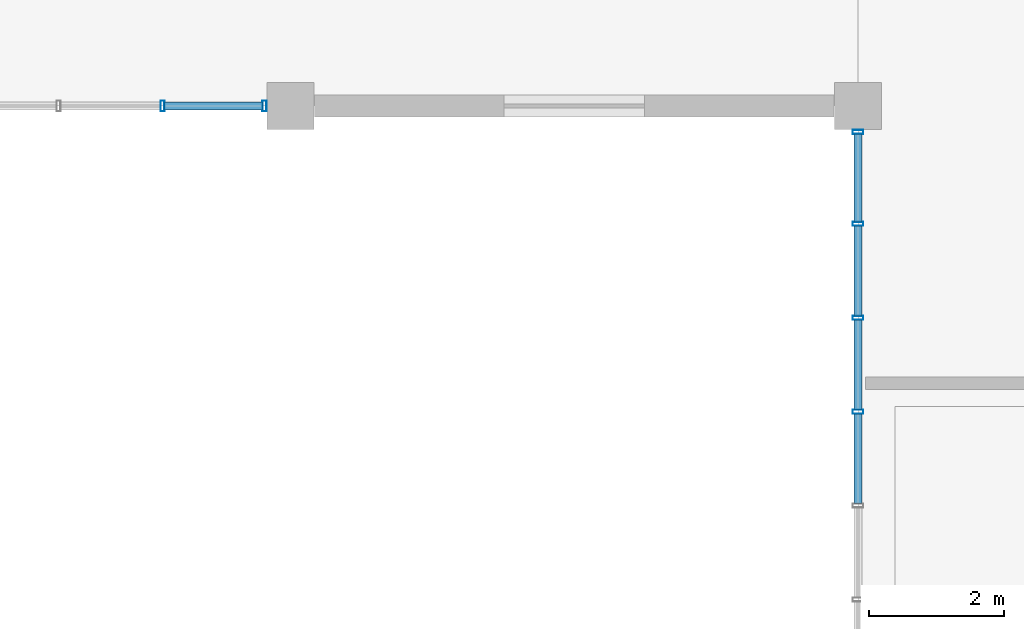
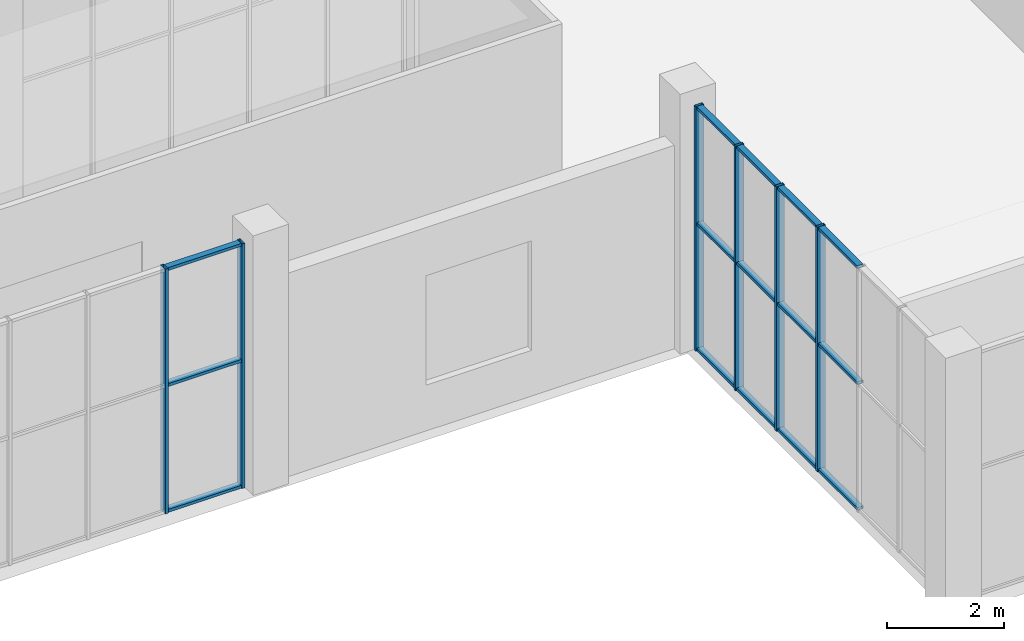
# One storey, part 40 of 91: 21 members, 2 elements without a shape of their own.
"""IFC4 building model written with IfcOpenShell, lengths in metres."""

from ifc_helpers import new_model, si_unit, direction, frame, origin, origin_2d, place, context, subcontext, project, spatial, hollow_rectangle, extrude, material, material_profile, profile_set, type_object, element, aggregate, save


model = new_model("IFC4")

# Units and contexts
model_context = context("Model", 3, precision=1e-05, world=origin(), true_north=direction((0.0, 1.0)))
body_context = subcontext(model_context, "Body", "Model", "MODEL_VIEW")
ifc_project = project(units=[si_unit("LENGTHUNIT", "METRE"), si_unit("AREAUNIT", "SQUARE_METRE"), si_unit("VOLUMEUNIT", "CUBIC_METRE"), si_unit("PLANEANGLEUNIT", "RADIAN"), si_unit("MASSUNIT", "GRAM", prefix="KILO")], contexts=[model_context])

# Site, building, storey
site_placement = place(None, origin())
site = spatial("IfcSite", under=ifc_project, at=site_placement, CompositionType="ELEMENT")
building_placement = place(site_placement, origin())
building = spatial("IfcBuilding", under=site, at=building_placement, Name="Khurvash Pelagic Aquarium", CompositionType="ELEMENT")
storey_placement = place(building_placement, origin())
storey = spatial("IfcBuildingStorey", under=building, at=storey_placement, Name="L00", CompositionType="ELEMENT", Elevation=0.0)

# Curtain wall, members
ifc_material_1 = material(Name="Anodised aluminium and low-E laminated glass", Category="aluminium")
curtain_wall_type_1 = type_object("IfcCurtainWallType", Name="CW-02", PredefinedType="USERDEFINED", material=ifc_material_1)
curtain_wall_1_placement = place(storey_placement, origin())
curtain_wall_1 = element("IfcCurtainWall", 1, at=curtain_wall_1_placement, inside=storey, type_object=curtain_wall_type_1, Name="L00 Facade Unitised Curtain Wall CW-02 0081", ObjectType="UNITISED CURTAIN WALL", PredefinedType="USERDEFINED")
ifc_material_2 = material(Name="Extruded aluminium AW-6063-T6", Category="aluminium")
ifc_material_profile_1 = material_profile(ifc_material_2, hollow_rectangle(XDim=0.06005859375, YDim=0.159912109375, WallThickness=0.00390625, at=origin_2d()), Name="CWM60X160X4")
ifc_profile_set_1 = profile_set([ifc_material_profile_1], Name="Extruded aluminium AW-6063-T6")
member_type_1 = type_object("IfcMemberType", Name="CM-02", PredefinedType="MULLION", material=ifc_profile_set_1)
member_1_placement = place(storey_placement, frame((48.507080078125, 93.10009765625, 0.0), z_axis=(0.0, 0.0, 1.0), x_axis=(1.0, 0.0, 0.0)))
member_1 = element("IfcMember", 2, at=member_1_placement, type_object=member_type_1, Name="CW-02 mullion 5", PredefinedType="MULLION", context=body_context, shape_type="SweptSolid", body=[
    extrude(hollow_rectangle(XDim=0.06005859375, YDim=0.159912109375, WallThickness=0.00390625, at=origin_2d()), origin(), (0.0, 0.0, 1.0), 5.090087890625),
])
member_2_placement = place(storey_placement, frame((50.014892578125, 93.10009765625, 0.0), z_axis=(0.0, 0.0, 1.0), x_axis=(1.0, 0.0, 0.0)))
member_2 = element("IfcMember", 3, at=member_2_placement, type_object=member_type_1, Name="CW-02 mullion 6", PredefinedType="MULLION", context=body_context, shape_type="SweptSolid", body=[
    extrude(hollow_rectangle(XDim=0.06005859375, YDim=0.159912109375, WallThickness=0.00390625, at=origin_2d()), origin(), (0.0, 0.0, 1.0), 5.090087890625),
])

curtain_wall_type_2 = type_object("IfcCurtainWallType", Name="CW-05", PredefinedType="USERDEFINED", material=ifc_material_1)
curtain_wall_2_placement = place(storey_placement, origin())
curtain_wall_2 = element("IfcCurtainWall", 4, at=curtain_wall_2_placement, inside=storey, type_object=curtain_wall_type_2, Name="L00 Facade Unitised Curtain Wall CW-05 0082", ObjectType="UNITISED CURTAIN WALL", PredefinedType="USERDEFINED")
member_3_placement = place(storey_placement, frame((58.800048828125, 92.715087890625, 0.0), z_axis=(0.0, 0.0, 1.0), x_axis=(0.0, -1.0, 0.0)))
member_3 = element("IfcMember", 5, at=member_3_placement, type_object=member_type_1, Name="CW-05 mullion 1", PredefinedType="MULLION", context=body_context, shape_type="SweptSolid", body=[
    extrude(hollow_rectangle(XDim=0.06005859375, YDim=0.159912109375, WallThickness=0.00390625, at=origin_2d()), origin(), (0.0, 0.0, 1.0), 5.090087890625),
])
member_4_placement = place(storey_placement, frame((58.800048828125, 91.35498046875, 0.0), z_axis=(0.0, 0.0, 1.0), x_axis=(0.0, -1.0, 0.0)))
member_4 = element("IfcMember", 6, at=member_4_placement, type_object=member_type_1, Name="CW-05 mullion 2", PredefinedType="MULLION", context=body_context, shape_type="SweptSolid", body=[
    extrude(hollow_rectangle(XDim=0.06005859375, YDim=0.159912109375, WallThickness=0.00390625, at=origin_2d()), origin(), (0.0, 0.0, 1.0), 5.090087890625),
])
member_5_placement = place(storey_placement, frame((58.800048828125, 89.965087890625, 0.0), z_axis=(0.0, 0.0, 1.0), x_axis=(0.0, -1.0, 0.0)))
member_5 = element("IfcMember", 7, at=member_5_placement, type_object=member_type_1, Name="CW-05 mullion 3", PredefinedType="MULLION", context=body_context, shape_type="SweptSolid", body=[
    extrude(hollow_rectangle(XDim=0.06005859375, YDim=0.159912109375, WallThickness=0.00390625, at=origin_2d()), origin(), (0.0, 0.0, 1.0), 5.090087890625),
])
member_6_placement = place(storey_placement, frame((58.800048828125, 88.574951171875, 0.0), z_axis=(0.0, 0.0, 1.0), x_axis=(0.0, -1.0, 0.0)))
member_6 = element("IfcMember", 8, at=member_6_placement, type_object=member_type_1, Name="CW-05 mullion 4", PredefinedType="MULLION", context=body_context, shape_type="SweptSolid", body=[
    extrude(hollow_rectangle(XDim=0.06005859375, YDim=0.159912109375, WallThickness=0.00390625, at=origin_2d()), origin(), (0.0, 0.0, 1.0), 5.090087890625),
])

# Member
ifc_material_profile_2 = material_profile(ifc_material_2, hollow_rectangle(XDim=0.1201171875, YDim=0.06005859375, WallThickness=0.00390625, at=origin_2d()), Name="CWT120X60X4")
ifc_profile_set_2 = profile_set([ifc_material_profile_2], Name="Extruded aluminium AW-6063-T6")
member_type_2 = type_object("IfcMemberType", Name="CT-02", PredefinedType="USERDEFINED", material=ifc_profile_set_2)
member_7_placement = place(storey_placement, frame((48.537109375, 93.10009765625, 0.030029296875), z_axis=(1.0, 0.0, 0.0), x_axis=(0.0, 1.0, 0.0)))
member_7 = element("IfcMember", 9, at=member_7_placement, type_object=member_type_2, Name="CW-02 transom 5.1", ObjectType="TRANSOM", PredefinedType="USERDEFINED", context=body_context, shape_type="SweptSolid", body=[
    extrude(hollow_rectangle(XDim=0.1201171875, YDim=0.06005859375, WallThickness=0.00390625, at=origin_2d()), origin(), (0.0, 0.0, 1.0), 1.447998046875),
])

member_8_placement = place(storey_placement, frame((48.537109375, 93.10009765625, 2.64697265625), z_axis=(1.0, 0.0, 0.0), x_axis=(0.0, 1.0, 0.0)))
member_8 = element("IfcMember", 10, at=member_8_placement, type_object=member_type_2, Name="CW-02 transom 5.2", ObjectType="TRANSOM", PredefinedType="USERDEFINED", context=body_context, shape_type="SweptSolid", body=[
    extrude(hollow_rectangle(XDim=0.1201171875, YDim=0.06005859375, WallThickness=0.00390625, at=origin_2d()), origin(), (0.0, 0.0, 1.0), 1.447998046875),
])

member_9_placement = place(storey_placement, frame((48.537109375, 93.10009765625, 5.06005859375), z_axis=(1.0, 0.0, 0.0), x_axis=(0.0, 1.0, 0.0)))
member_9 = element("IfcMember", 11, at=member_9_placement, type_object=member_type_2, Name="CW-02 transom 5.3", ObjectType="TRANSOM", PredefinedType="USERDEFINED", context=body_context, shape_type="SweptSolid", body=[
    extrude(hollow_rectangle(XDim=0.1201171875, YDim=0.06005859375, WallThickness=0.00390625, at=origin_2d()), origin(), (0.0, 0.0, 1.0), 1.447998046875),
])

aggregate(curtain_wall_1, [member_1, member_2, member_7, member_8, member_9])

member_10_placement = place(storey_placement, frame((58.800048828125, 92.68505859375, 0.030029296875), z_axis=(0.0, -1.0, 0.0), x_axis=(1.0, 0.0, 0.0)))
member_10 = element("IfcMember", 12, at=member_10_placement, type_object=member_type_2, Name="CW-05 transom 1.1", ObjectType="TRANSOM", PredefinedType="USERDEFINED", context=body_context, shape_type="SweptSolid", body=[
    extrude(hollow_rectangle(XDim=0.1201171875, YDim=0.06005859375, WallThickness=0.00390625, at=origin_2d()), origin(), (0.0, 0.0, 1.0), 1.300048828125),
])

member_11_placement = place(storey_placement, frame((58.800048828125, 92.68505859375, 2.64697265625), z_axis=(0.0, -1.0, 0.0), x_axis=(1.0, 0.0, 0.0)))
member_11 = element("IfcMember", 13, at=member_11_placement, type_object=member_type_2, Name="CW-05 transom 1.2", ObjectType="TRANSOM", PredefinedType="USERDEFINED", context=body_context, shape_type="SweptSolid", body=[
    extrude(hollow_rectangle(XDim=0.1201171875, YDim=0.06005859375, WallThickness=0.00390625, at=origin_2d()), origin(), (0.0, 0.0, 1.0), 1.300048828125),
])

member_12_placement = place(storey_placement, frame((58.800048828125, 92.68505859375, 5.06005859375), z_axis=(0.0, -1.0, 0.0), x_axis=(1.0, 0.0, 0.0)))
member_12 = element("IfcMember", 14, at=member_12_placement, type_object=member_type_2, Name="CW-05 transom 1.3", ObjectType="TRANSOM", PredefinedType="USERDEFINED", context=body_context, shape_type="SweptSolid", body=[
    extrude(hollow_rectangle(XDim=0.1201171875, YDim=0.06005859375, WallThickness=0.00390625, at=origin_2d()), origin(), (0.0, 0.0, 1.0), 1.300048828125),
])

member_13_placement = place(storey_placement, frame((58.800048828125, 91.324951171875, 0.030029296875), z_axis=(0.0, -1.0, 0.0), x_axis=(1.0, 0.0, 0.0)))
member_13 = element("IfcMember", 15, at=member_13_placement, type_object=member_type_2, Name="CW-05 transom 2.1", ObjectType="TRANSOM", PredefinedType="USERDEFINED", context=body_context, shape_type="SweptSolid", body=[
    extrude(hollow_rectangle(XDim=0.1201171875, YDim=0.06005859375, WallThickness=0.00390625, at=origin_2d()), origin(), (0.0, 0.0, 1.0), 1.329833984375),
])

member_14_placement = place(storey_placement, frame((58.800048828125, 91.324951171875, 2.64697265625), z_axis=(0.0, -1.0, 0.0), x_axis=(1.0, 0.0, 0.0)))
member_14 = element("IfcMember", 16, at=member_14_placement, type_object=member_type_2, Name="CW-05 transom 2.2", ObjectType="TRANSOM", PredefinedType="USERDEFINED", context=body_context, shape_type="SweptSolid", body=[
    extrude(hollow_rectangle(XDim=0.1201171875, YDim=0.06005859375, WallThickness=0.00390625, at=origin_2d()), origin(), (0.0, 0.0, 1.0), 1.329833984375),
])

member_15_placement = place(storey_placement, frame((58.800048828125, 91.324951171875, 5.06005859375), z_axis=(0.0, -1.0, 0.0), x_axis=(1.0, 0.0, 0.0)))
member_15 = element("IfcMember", 17, at=member_15_placement, type_object=member_type_2, Name="CW-05 transom 2.3", ObjectType="TRANSOM", PredefinedType="USERDEFINED", context=body_context, shape_type="SweptSolid", body=[
    extrude(hollow_rectangle(XDim=0.1201171875, YDim=0.06005859375, WallThickness=0.00390625, at=origin_2d()), origin(), (0.0, 0.0, 1.0), 1.329833984375),
])

member_16_placement = place(storey_placement, frame((58.800048828125, 89.93505859375, 0.030029296875), z_axis=(0.0, -1.0, 0.0), x_axis=(1.0, 0.0, 0.0)))
member_16 = element("IfcMember", 18, at=member_16_placement, type_object=member_type_2, Name="CW-05 transom 3.1", ObjectType="TRANSOM", PredefinedType="USERDEFINED", context=body_context, shape_type="SweptSolid", body=[
    extrude(hollow_rectangle(XDim=0.1201171875, YDim=0.06005859375, WallThickness=0.00390625, at=origin_2d()), origin(), (0.0, 0.0, 1.0), 1.330078125),
])

member_17_placement = place(storey_placement, frame((58.800048828125, 89.93505859375, 2.64697265625), z_axis=(0.0, -1.0, 0.0), x_axis=(1.0, 0.0, 0.0)))
member_17 = element("IfcMember", 19, at=member_17_placement, type_object=member_type_2, Name="CW-05 transom 3.2", ObjectType="TRANSOM", PredefinedType="USERDEFINED", context=body_context, shape_type="SweptSolid", body=[
    extrude(hollow_rectangle(XDim=0.1201171875, YDim=0.06005859375, WallThickness=0.00390625, at=origin_2d()), origin(), (0.0, 0.0, 1.0), 1.330078125),
])

member_18_placement = place(storey_placement, frame((58.800048828125, 89.93505859375, 5.06005859375), z_axis=(0.0, -1.0, 0.0), x_axis=(1.0, 0.0, 0.0)))
member_18 = element("IfcMember", 20, at=member_18_placement, type_object=member_type_2, Name="CW-05 transom 3.3", ObjectType="TRANSOM", PredefinedType="USERDEFINED", context=body_context, shape_type="SweptSolid", body=[
    extrude(hollow_rectangle(XDim=0.1201171875, YDim=0.06005859375, WallThickness=0.00390625, at=origin_2d()), origin(), (0.0, 0.0, 1.0), 1.330078125),
])

member_19_placement = place(storey_placement, frame((58.800048828125, 88.544921875, 0.030029296875), z_axis=(0.0, -1.0, 0.0), x_axis=(1.0, 0.0, 0.0)))
member_19 = element("IfcMember", 21, at=member_19_placement, type_object=member_type_2, Name="CW-05 transom 4.1", ObjectType="TRANSOM", PredefinedType="USERDEFINED", context=body_context, shape_type="SweptSolid", body=[
    extrude(hollow_rectangle(XDim=0.1201171875, YDim=0.06005859375, WallThickness=0.00390625, at=origin_2d()), origin(), (0.0, 0.0, 1.0), 1.329833984375),
])

member_20_placement = place(storey_placement, frame((58.800048828125, 88.544921875, 2.64697265625), z_axis=(0.0, -1.0, 0.0), x_axis=(1.0, 0.0, 0.0)))
member_20 = element("IfcMember", 22, at=member_20_placement, type_object=member_type_2, Name="CW-05 transom 4.2", ObjectType="TRANSOM", PredefinedType="USERDEFINED", context=body_context, shape_type="SweptSolid", body=[
    extrude(hollow_rectangle(XDim=0.1201171875, YDim=0.06005859375, WallThickness=0.00390625, at=origin_2d()), origin(), (0.0, 0.0, 1.0), 1.329833984375),
])

member_21_placement = place(storey_placement, frame((58.800048828125, 88.544921875, 5.06005859375), z_axis=(0.0, -1.0, 0.0), x_axis=(1.0, 0.0, 0.0)))
member_21 = element("IfcMember", 23, at=member_21_placement, type_object=member_type_2, Name="CW-05 transom 4.3", ObjectType="TRANSOM", PredefinedType="USERDEFINED", context=body_context, shape_type="SweptSolid", body=[
    extrude(hollow_rectangle(XDim=0.1201171875, YDim=0.06005859375, WallThickness=0.00390625, at=origin_2d()), origin(), (0.0, 0.0, 1.0), 1.329833984375),
])

aggregate(curtain_wall_2, [member_3, member_4, member_5, member_6, member_10, member_11, member_12, member_13, member_14, member_15, member_16, member_17, member_18, member_19, member_20, member_21])

save(model, "model.ifc")
